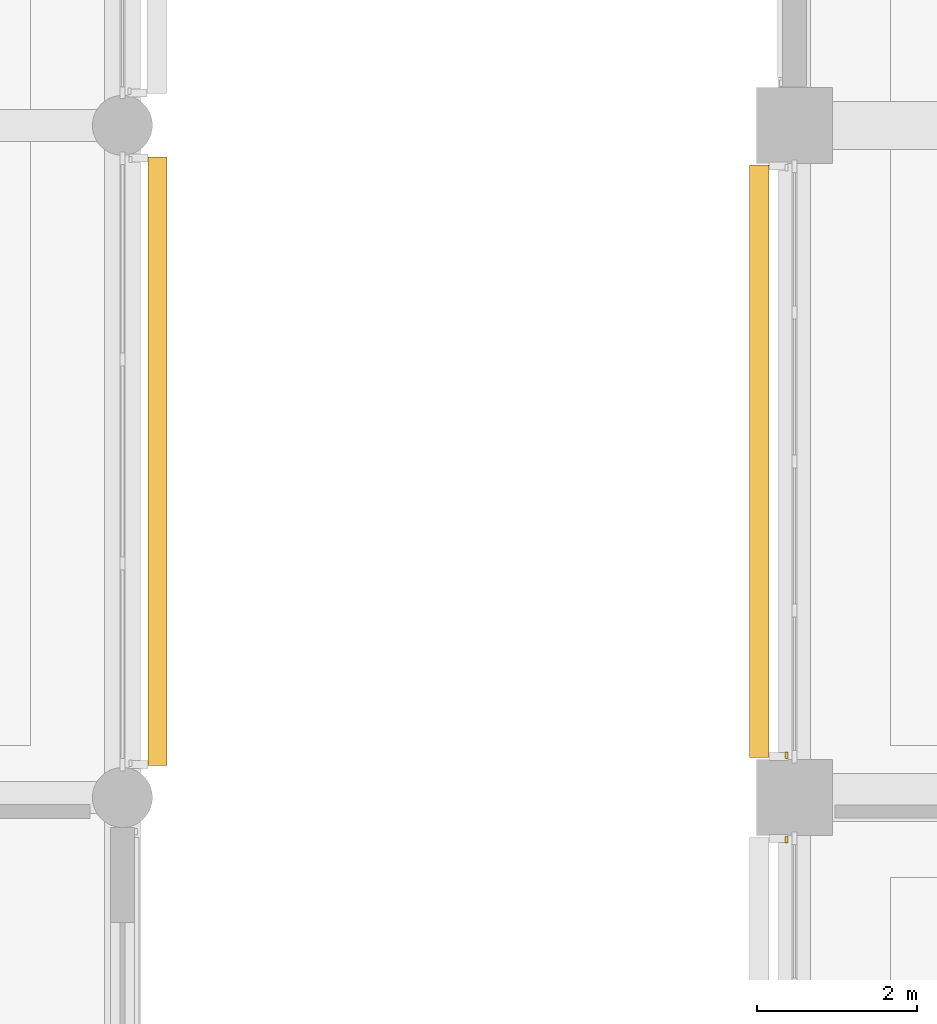
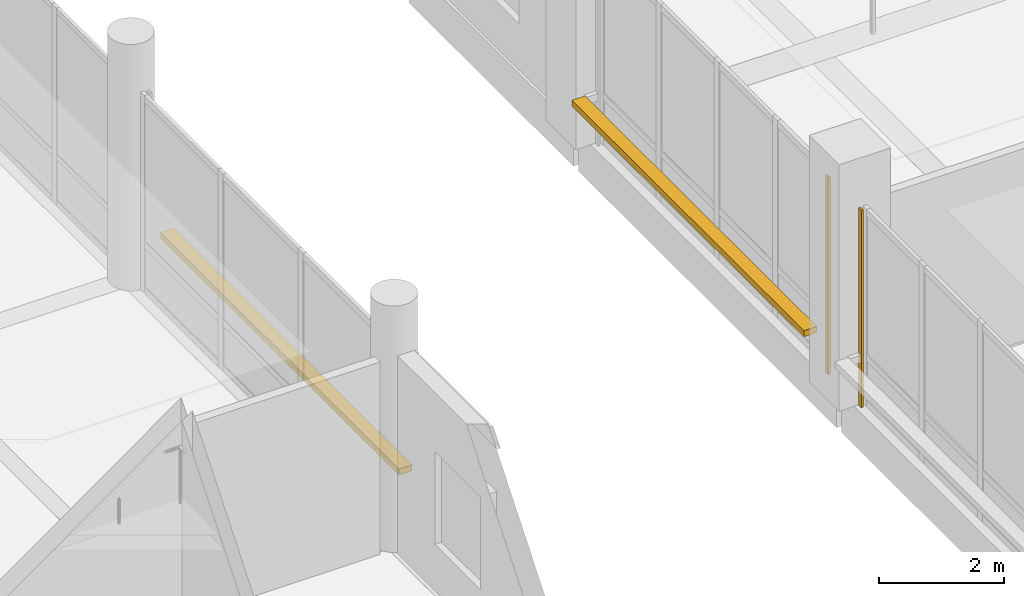
# One storey, part 94 of 122: 2 coverings, 2 shading devices.
"""IFC4 building model written with IfcOpenShell, lengths in metres."""

from ifc_helpers import new_model, si_unit, direction, frame, origin, origin_2d, place, context, subcontext, project, spatial, rectangle, extrude, material, layer, layer_set, type_object, element, save


model = new_model("IFC4")

# Units and contexts
model_context = context("Model", 3, precision=1e-05, world=origin(), true_north=direction((0.0, 1.0)))
body_context = subcontext(model_context, "Body", "Model", "MODEL_VIEW")
ifc_project = project(units=[si_unit("LENGTHUNIT", "METRE"), si_unit("AREAUNIT", "SQUARE_METRE"), si_unit("VOLUMEUNIT", "CUBIC_METRE"), si_unit("PLANEANGLEUNIT", "RADIAN"), si_unit("MASSUNIT", "GRAM", prefix="KILO")], contexts=[model_context])

# Site, building, storey
site_placement = place(None, origin())
site = spatial("IfcSite", under=ifc_project, at=site_placement, CompositionType="ELEMENT")
building_placement = place(site_placement, origin())
building = spatial("IfcBuilding", under=site, at=building_placement, Name="Telukmera Botanical Conservatory", CompositionType="ELEMENT")
storey_placement = place(building_placement, frame((0.0, 0.0, 10.199951171875)))
storey = spatial("IfcBuildingStorey", under=building, at=storey_placement, Name="L02", CompositionType="ELEMENT", Elevation=10.199951171875)

# Coverings
ifc_material_1 = material(Name="Granite-faced precast concrete C40/50", Category="masonry")
ifc_layer_1 = layer(ifc_material_1, 0.0400390625)
ifc_layer_set_1 = layer_set([ifc_layer_1], Name="Granite-faced precast concrete C40/50")
covering_type = type_object("IfcCoveringType", Name="Granite Precast Column Pier Reveal Casing", PredefinedType="CLADDING", material=ifc_layer_set_1)
for number, where, z_axis, x_axis, name in (
    (1, (50.300048828125, 33.873046875, 0.0), (0.0, 0.0, 1.0), (0.0, 1.0, 0.0), "Granite Pier Reveal V4:L02:W3 R"),
    (2, (50.300048828125, 34.927001953125, 0.0), (0.0, 0.0, 1.0), (0.0, 1.0, 0.0), "Granite Pier Reveal V4:L02:W4 L"),
):
    element("IfcCovering", number, at=place(storey_placement, frame(where, z_axis=z_axis, x_axis=x_axis)), inside=storey, type_object=covering_type, Name=name, PredefinedType="CLADDING", context=body_context, shape_type="SweptSolid", body=[
        extrude(rectangle(XDim=0.080078125, YDim=0.0400390625, at=origin_2d()), origin(), (0.0, 0.0, 1.0), 3.85009765625),
    ])

# Shading devices
ifc_material_2 = material(Name="Perforated terracotta-anodised aluminium 6063-T6", Category="masonry")
ifc_layer_2 = layer(ifc_material_2, 0.044921875)
ifc_layer_set_2 = layer_set([ifc_layer_2], Name="Perforated terracotta-anodised aluminium 6063-T6")
shading_device_type = type_object("IfcShadingDeviceType", Name="Perforated Terracotta Aluminium Monsoon Brise Soleil", PredefinedType="JALOUSIE", material=ifc_layer_set_2)
shading_device_1_placement = place(storey_placement, frame((42.43994140625, 38.60009765625, 0.889892578125), z_axis=(0.0, 0.0, 1.0), x_axis=(0.0, 1.0, 0.0)))
element("IfcShadingDevice", 3, at=shading_device_1_placement, inside=storey, type_object=shading_device_type, Name="Monsoon Shading BS01 V3:L02:E3", PredefinedType="JALOUSIE", context=body_context, shape_type="SweptSolid", body=[
    extrude(rectangle(XDim=7.60595703125, YDim=0.239990234375, at=origin_2d()), origin(), (0.0, 0.0, 1.0), 0.1201171875),
])
shading_device_2_placement = place(storey_placement, frame((49.9599609375, 38.60009765625, 0.889892578125), z_axis=(0.0, 0.0, 1.0), x_axis=(0.0, 1.0, 0.0)))
element("IfcShadingDevice", 4, at=shading_device_2_placement, inside=storey, type_object=shading_device_type, Name="Monsoon Shading BS01 V4:L02:W4", PredefinedType="JALOUSIE", context=body_context, shape_type="SweptSolid", body=[
    extrude(rectangle(XDim=7.406005859375, YDim=0.239990234375, at=origin_2d()), origin(), (0.0, 0.0, 1.0), 0.1201171875),
])

save(model, "model.ifc")
